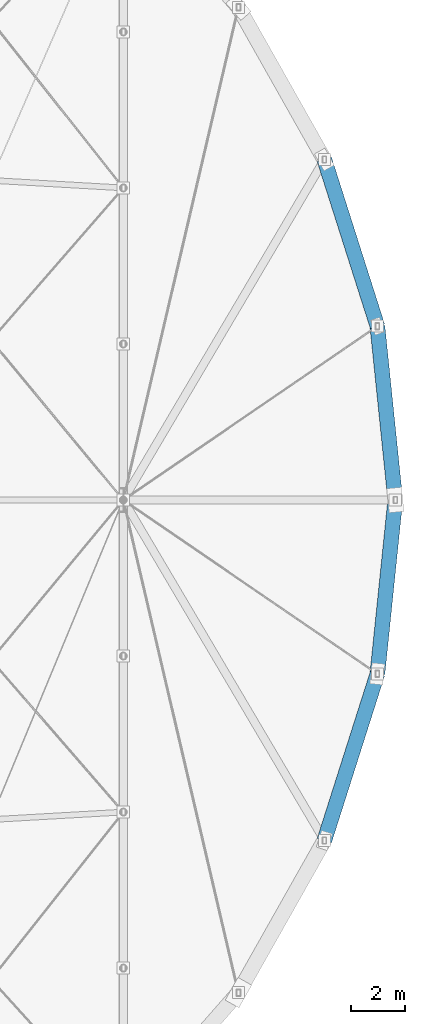
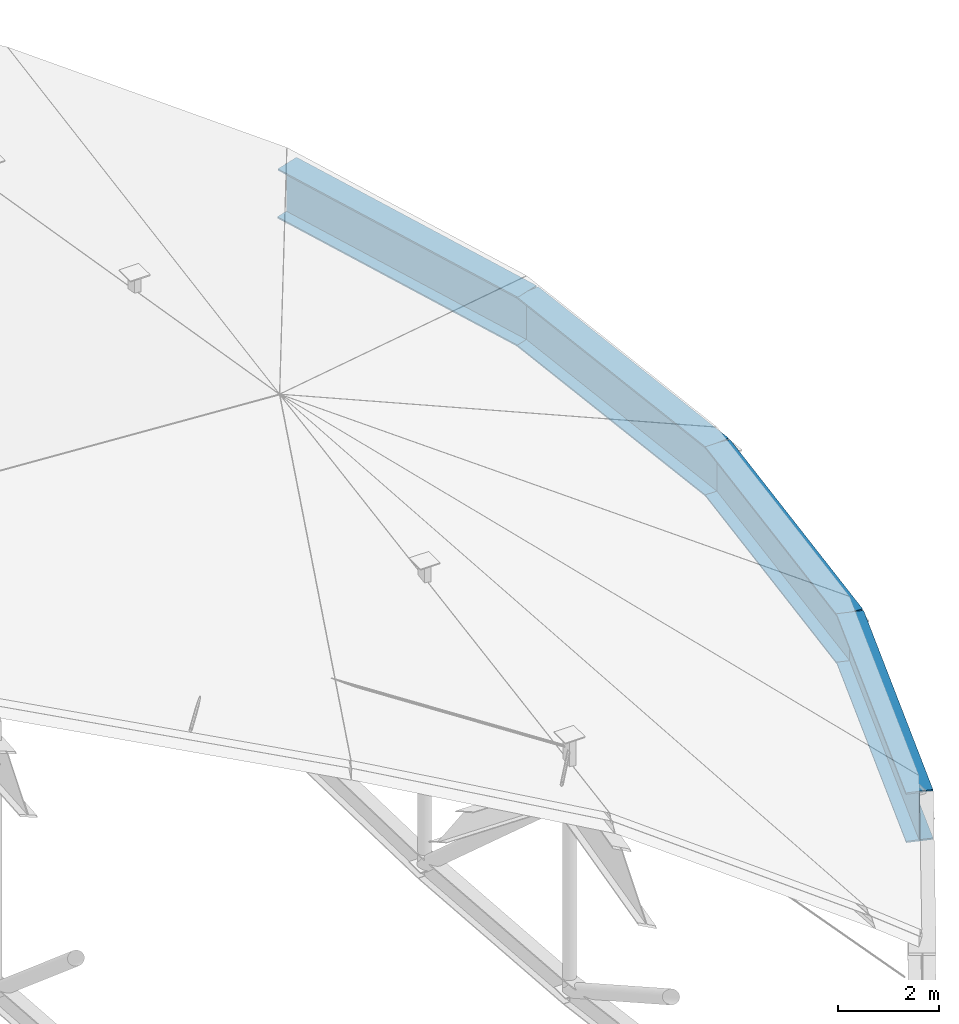
# One storey, part 40 of 68: 4 beams.
"""IFC4 building model written with IfcOpenShell, lengths in metres."""

from ifc_helpers import new_model, si_unit, direction, frame, origin, origin_2d, place, context, subcontext, project, spatial, i_section, extrude, material, material_profile, profile_set, type_object, element, save


model = new_model("IFC4")

# Units and contexts
model_context = context("Model", 3, precision=1e-05, world=origin(), true_north=direction((0.0, 1.0)))
body_context = subcontext(model_context, "Body", "Model", "MODEL_VIEW")
ifc_project = project(units=[si_unit("LENGTHUNIT", "METRE"), si_unit("AREAUNIT", "SQUARE_METRE"), si_unit("VOLUMEUNIT", "CUBIC_METRE"), si_unit("PLANEANGLEUNIT", "RADIAN"), si_unit("MASSUNIT", "GRAM", prefix="KILO")], contexts=[model_context])

# Site, building, storey
site_placement = place(None, origin())
site = spatial("IfcSite", under=ifc_project, at=site_placement, CompositionType="ELEMENT")
building_placement = place(site_placement, origin())
building = spatial("IfcBuilding", under=site, at=building_placement, Name="Sohan Crest Arena", CompositionType="ELEMENT")
storey_placement = place(building_placement, frame((0.0, 0.0, 27.0)))
storey = spatial("IfcBuildingStorey", under=building, at=storey_placement, Name="RF", CompositionType="ELEMENT", Elevation=27.0)

# Beams
ifc_material = material(Name="Steel S355", Category="steel")
ifc_material_profile = material_profile(ifc_material, i_section(OverallWidth=0.550048828125, OverallDepth=1.199951171875, WebThickness=0.02197265625, FlangeThickness=0.034912109375, at=origin_2d()), Name="PG 1200x550x22x35")
ifc_profile_set = profile_set([ifc_material_profile], Name="Steel S355")
beam_type = type_object("IfcBeamType", Name="STR-BM-RB01", PredefinedType="USERDEFINED", material=ifc_profile_set)
beam_1_placement = place(storey_placement, frame((175.408935546875, 65.455078125, -3.68701171875), z_axis=(0.303344208861, 0.95282068403, -0.010725438669), x_axis=(-0.952875492639, 0.303361657972, 0.0)))
element("IfcBeam", 1, at=beam_1_placement, inside=storey, type_object=beam_type, Name="Rising compression ring beam segment RB-22", ObjectType="RING BEAM", PredefinedType="USERDEFINED", context=body_context, shape_type="SweptSolid", body=[
    extrude(i_section(OverallWidth=0.550048828125, OverallDepth=1.199951171875, WebThickness=0.02197265625, FlangeThickness=0.034912109375, at=origin_2d()), origin(), (0.0, 0.0, 1.0), 6.44189453125),
])
for number, where, z_axis, x_axis, name in (
    (2, (177.363037109375, 71.593017578125, -3.756103515625), (0.102456618857, 0.994735127146, -0.002160572429), (-0.994737448903, 0.102456857996, 0.0), "Rising compression ring beam segment RB-23"),
    (3, (178.02294921875, 78.0, -3.77001953125), (-0.102456618857, 0.994735127146, 0.002160572429), (-0.994737448903, -0.102456857996, 0.0), "Rising compression ring beam segment RB-24"),
):
    element("IfcBeam", number, at=place(storey_placement, frame(where, z_axis=z_axis, x_axis=x_axis)), inside=storey, type_object=beam_type, Name=name, ObjectType="RING BEAM", PredefinedType="USERDEFINED", context=body_context, shape_type="SweptSolid", body=[
        extrude(i_section(OverallWidth=0.550048828125, OverallDepth=1.199951171875, WebThickness=0.02197265625, FlangeThickness=0.034912109375, at=origin_2d()), origin(), (0.0, 0.0, 1.0), 6.44091796875),
    ])
beam_2_placement = place(storey_placement, frame((177.363037109375, 84.406982421875, -3.756103515625), z_axis=(-0.303344208861, 0.95282068403, 0.010725438669), x_axis=(-0.952875492639, -0.303361657972, 0.0)))
element("IfcBeam", 4, at=beam_2_placement, inside=storey, type_object=beam_type, Name="Rising compression ring beam segment RB-25", ObjectType="RING BEAM", PredefinedType="USERDEFINED", context=body_context, shape_type="SweptSolid", body=[
    extrude(i_section(OverallWidth=0.550048828125, OverallDepth=1.199951171875, WebThickness=0.02197265625, FlangeThickness=0.034912109375, at=origin_2d()), origin(), (0.0, 0.0, 1.0), 6.44189453125),
])

save(model, "model.ifc")
